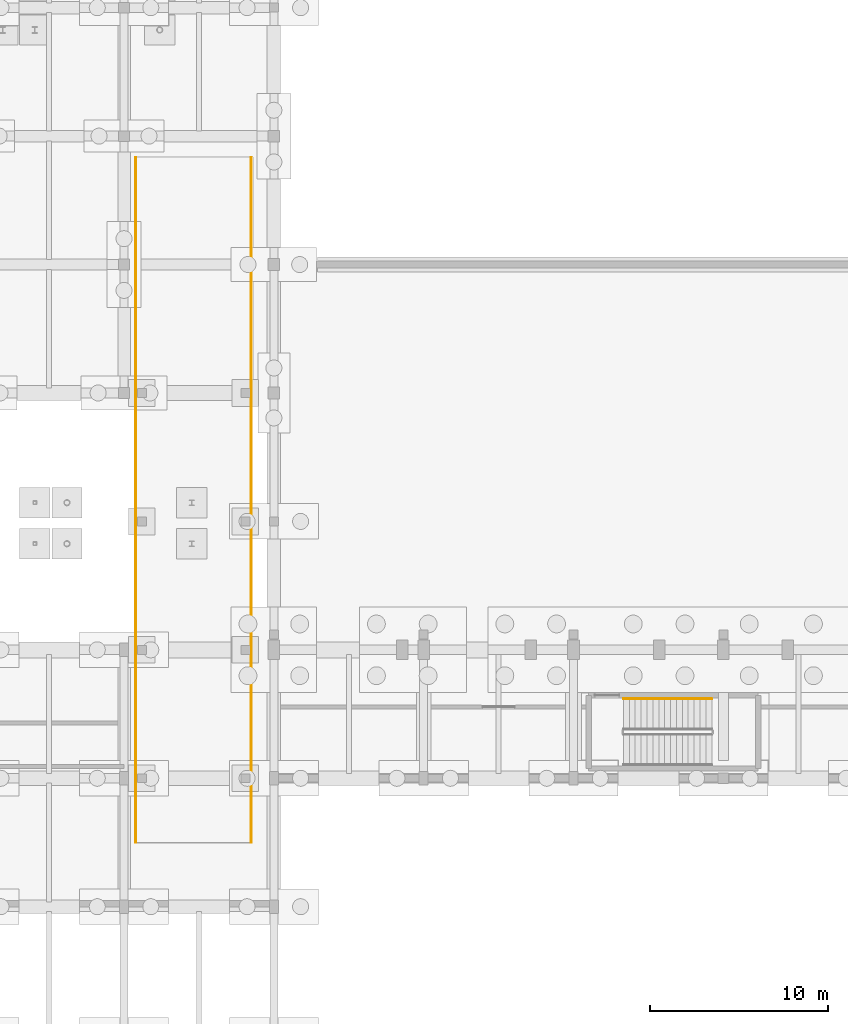
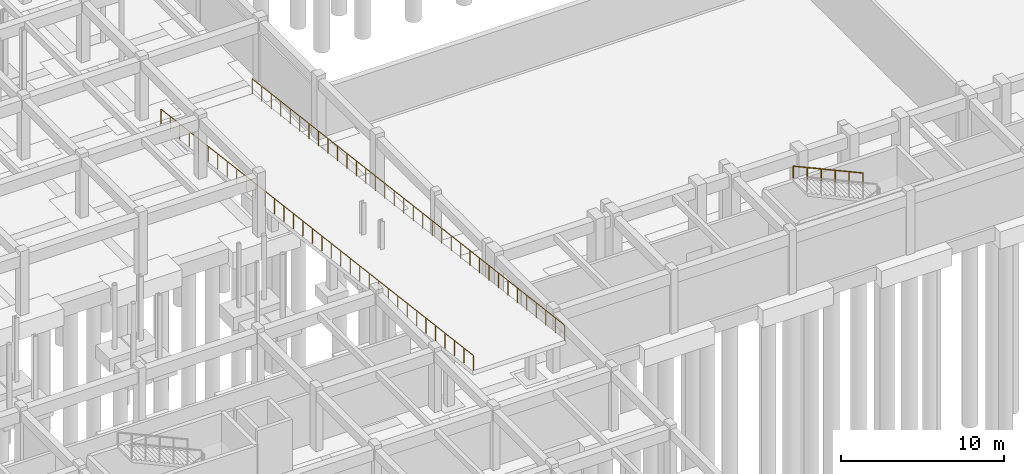
# One storey, part 79 of 80: 3 railings.
"""IFC4 building model written with IfcOpenShell, lengths in metres."""

from ifc_helpers import new_model, si_unit, direction, frame, origin, origin_2d, place, context, subcontext, project, spatial, circle, extrude, material, layer, layer_set, type_object, element, save


model = new_model("IFC4")

# Units and contexts
model_context = context("Model", 3, precision=1e-05, world=origin(), true_north=direction((0.0, 1.0)))
body_context = subcontext(model_context, "Body", "Model", "MODEL_VIEW")
ifc_project = project(units=[si_unit("LENGTHUNIT", "METRE"), si_unit("AREAUNIT", "SQUARE_METRE"), si_unit("VOLUMEUNIT", "CUBIC_METRE"), si_unit("PLANEANGLEUNIT", "RADIAN"), si_unit("MASSUNIT", "GRAM", prefix="KILO")], contexts=[model_context])

# Site, building, storey
site_placement = place(None, origin())
site = spatial("IfcSite", under=ifc_project, at=site_placement, CompositionType="ELEMENT")
building_placement = place(site_placement, origin())
building = spatial("IfcBuilding", under=site, at=building_placement, Name="Malvenik Polytechnic", CompositionType="ELEMENT")
storey_placement = place(building_placement, frame((0.0, 0.0, -4.800048828125)))
storey = spatial("IfcBuildingStorey", under=building, at=storey_placement, Name="B1", CompositionType="ELEMENT", Elevation=-4.800048828125)

# Railings
ifc_material_1 = material(Name="Galvanised powder-coated steel and laminated glass guard 1150mm", Category="steel")
ifc_layer_1 = layer(ifc_material_1, 0.070068359375)
ifc_layer_set_1 = layer_set([ifc_layer_1], Name="Galvanised powder-coated steel and laminated glass guard 1150mm")
railing_type_1 = type_object("IfcRailingType", Name="ARC-RL-BAL-1150", PredefinedType="BALUSTRADE", material=ifc_layer_set_1)
railing_1_placement = place(storey_placement, frame((126.659912109375, 25.199951171875, 4.800048828125)))
element("IfcRailing", 1, at=railing_1_placement, inside=storey, type_object=railing_type_1, Name="Vehicle Ramp Side Guard MAIN-W", PredefinedType="BALUSTRADE", context=body_context, shape_type="SweptSolid", body=[
    extrude(circle(Radius=0.02392578125, at=origin_2d()), frame((0.0, 0.0, 1.1259765625), z_axis=(0.0, 0.992277779656, -0.124035511046), x_axis=(-1.0, 0.0, 0.0)), (0.0, 0.0, 1.0), 38.698974609375),
    extrude(circle(Radius=0.02099609375, at=origin_2d()), origin(), (0.0, 0.0, 1.0), 1.101806640625),
    extrude(circle(Radius=0.02099609375, at=origin_2d()), frame((0.0, 1.16357421875, -0.1455078125)), (0.0, 0.0, 1.0), 1.101806640625),
    extrude(circle(Radius=0.02099609375, at=origin_2d()), frame((0.0, 2.327392578125, -0.291015625)), (0.0, 0.0, 1.0), 1.101806640625),
    extrude(circle(Radius=0.02099609375, at=origin_2d()), frame((0.0, 3.490966796875, -0.436279296875)), (0.0, 0.0, 1.0), 1.101806640625),
    extrude(circle(Radius=0.02099609375, at=origin_2d()), frame((0.0, 4.654541015625, -0.581787109375)), (0.0, 0.0, 1.0), 1.101806640625),
    extrude(circle(Radius=0.02099609375, at=origin_2d()), frame((0.0, 5.818115234375, -0.727294921875)), (0.0, 0.0, 1.0), 1.101806640625),
    extrude(circle(Radius=0.02099609375, at=origin_2d()), frame((0.0, 6.98193359375, -0.872802734375)), (0.0, 0.0, 1.0), 1.101806640625),
    extrude(circle(Radius=0.02099609375, at=origin_2d()), frame((0.0, 8.1455078125, -1.018310546875)), (0.0, 0.0, 1.0), 1.101806640625),
    extrude(circle(Radius=0.02099609375, at=origin_2d()), frame((0.0, 9.30908203125, -1.16357421875)), (0.0, 0.0, 1.0), 1.101806640625),
    extrude(circle(Radius=0.02099609375, at=origin_2d()), frame((0.0, 10.47265625, -1.30908203125)), (0.0, 0.0, 1.0), 1.101806640625),
    extrude(circle(Radius=0.02099609375, at=origin_2d()), frame((0.0, 11.636474609375, -1.45458984375)), (0.0, 0.0, 1.0), 1.101806640625),
    extrude(circle(Radius=0.02099609375, at=origin_2d()), frame((0.0, 12.800048828125, -1.60009765625)), (0.0, 0.0, 1.0), 1.101806640625),
    extrude(circle(Radius=0.02099609375, at=origin_2d()), frame((0.0, 13.963623046875, -1.745361328125)), (0.0, 0.0, 1.0), 1.101806640625),
    extrude(circle(Radius=0.02099609375, at=origin_2d()), frame((0.0, 15.12744140625, -1.890869140625)), (0.0, 0.0, 1.0), 1.101806640625),
    extrude(circle(Radius=0.02099609375, at=origin_2d()), frame((0.0, 16.291015625, -2.036376953125)), (0.0, 0.0, 1.0), 1.101806640625),
    extrude(circle(Radius=0.02099609375, at=origin_2d()), frame((0.0, 17.45458984375, -2.181884765625)), (0.0, 0.0, 1.0), 1.101806640625),
    extrude(circle(Radius=0.02099609375, at=origin_2d()), frame((0.0, 18.6181640625, -2.327392578125)), (0.0, 0.0, 1.0), 1.101806640625),
    extrude(circle(Radius=0.02099609375, at=origin_2d()), frame((0.0, 19.781982421875, -2.47265625)), (0.0, 0.0, 1.0), 1.101806640625),
    extrude(circle(Radius=0.02099609375, at=origin_2d()), frame((0.0, 20.945556640625, -2.6181640625)), (0.0, 0.0, 1.0), 1.101806640625),
    extrude(circle(Radius=0.02099609375, at=origin_2d()), frame((0.0, 22.109130859375, -2.763671875)), (0.0, 0.0, 1.0), 1.101806640625),
    extrude(circle(Radius=0.02099609375, at=origin_2d()), frame((0.0, 23.272705078125, -2.9091796875)), (0.0, 0.0, 1.0), 1.101806640625),
    extrude(circle(Radius=0.02099609375, at=origin_2d()), frame((0.0, 24.4365234375, -3.0546875)), (0.0, 0.0, 1.0), 1.101806640625),
    extrude(circle(Radius=0.02099609375, at=origin_2d()), frame((0.0, 25.60009765625, -3.199951171875)), (0.0, 0.0, 1.0), 1.101806640625),
    extrude(circle(Radius=0.02099609375, at=origin_2d()), frame((0.0, 26.763671875, -3.345458984375)), (0.0, 0.0, 1.0), 1.101806640625),
    extrude(circle(Radius=0.02099609375, at=origin_2d()), frame((0.0, 27.927490234375, -3.490966796875)), (0.0, 0.0, 1.0), 1.101806640625),
    extrude(circle(Radius=0.02099609375, at=origin_2d()), frame((0.0, 29.091064453125, -3.636474609375)), (0.0, 0.0, 1.0), 1.101806640625),
    extrude(circle(Radius=0.02099609375, at=origin_2d()), frame((0.0, 30.254638671875, -3.78173828125)), (0.0, 0.0, 1.0), 1.101806640625),
    extrude(circle(Radius=0.02099609375, at=origin_2d()), frame((0.0, 31.418212890625, -3.92724609375)), (0.0, 0.0, 1.0), 1.101806640625),
    extrude(circle(Radius=0.02099609375, at=origin_2d()), frame((0.0, 32.58203125, -4.07275390625)), (0.0, 0.0, 1.0), 1.101806640625),
    extrude(circle(Radius=0.02099609375, at=origin_2d()), frame((0.0, 33.74560546875, -4.21826171875)), (0.0, 0.0, 1.0), 1.101806640625),
    extrude(circle(Radius=0.02099609375, at=origin_2d()), frame((0.0, 34.9091796875, -4.36376953125)), (0.0, 0.0, 1.0), 1.101806640625),
    extrude(circle(Radius=0.02099609375, at=origin_2d()), frame((0.0, 36.07275390625, -4.509033203125)), (0.0, 0.0, 1.0), 1.101806640625),
    extrude(circle(Radius=0.02099609375, at=origin_2d()), frame((0.0, 37.236572265625, -4.654541015625)), (0.0, 0.0, 1.0), 1.101806640625),
    extrude(circle(Radius=0.02099609375, at=origin_2d()), frame((0.0, 38.400146484375, -4.800048828125)), (0.0, 0.0, 1.0), 1.101806640625),
])
railing_2_placement = place(storey_placement, frame((133.139892578125, 25.199951171875, 4.800048828125)))
element("IfcRailing", 2, at=railing_2_placement, inside=storey, type_object=railing_type_1, Name="Vehicle Ramp Side Guard MAIN-E", PredefinedType="BALUSTRADE", context=body_context, shape_type="SweptSolid", body=[
    extrude(circle(Radius=0.02392578125, at=origin_2d()), frame((0.0, 0.0, 1.1259765625), z_axis=(0.0, 0.992277779656, -0.124035511046), x_axis=(-1.0, 0.0, 0.0)), (0.0, 0.0, 1.0), 38.698974609375),
    extrude(circle(Radius=0.02099609375, at=origin_2d()), origin(), (0.0, 0.0, 1.0), 1.101806640625),
    extrude(circle(Radius=0.02099609375, at=origin_2d()), frame((0.0, 1.16357421875, -0.1455078125)), (0.0, 0.0, 1.0), 1.101806640625),
    extrude(circle(Radius=0.02099609375, at=origin_2d()), frame((0.0, 2.327392578125, -0.291015625)), (0.0, 0.0, 1.0), 1.101806640625),
    extrude(circle(Radius=0.02099609375, at=origin_2d()), frame((0.0, 3.490966796875, -0.436279296875)), (0.0, 0.0, 1.0), 1.101806640625),
    extrude(circle(Radius=0.02099609375, at=origin_2d()), frame((0.0, 4.654541015625, -0.581787109375)), (0.0, 0.0, 1.0), 1.101806640625),
    extrude(circle(Radius=0.02099609375, at=origin_2d()), frame((0.0, 5.818115234375, -0.727294921875)), (0.0, 0.0, 1.0), 1.101806640625),
    extrude(circle(Radius=0.02099609375, at=origin_2d()), frame((0.0, 6.98193359375, -0.872802734375)), (0.0, 0.0, 1.0), 1.101806640625),
    extrude(circle(Radius=0.02099609375, at=origin_2d()), frame((0.0, 8.1455078125, -1.018310546875)), (0.0, 0.0, 1.0), 1.101806640625),
    extrude(circle(Radius=0.02099609375, at=origin_2d()), frame((0.0, 9.30908203125, -1.16357421875)), (0.0, 0.0, 1.0), 1.101806640625),
    extrude(circle(Radius=0.02099609375, at=origin_2d()), frame((0.0, 10.47265625, -1.30908203125)), (0.0, 0.0, 1.0), 1.101806640625),
    extrude(circle(Radius=0.02099609375, at=origin_2d()), frame((0.0, 11.636474609375, -1.45458984375)), (0.0, 0.0, 1.0), 1.101806640625),
    extrude(circle(Radius=0.02099609375, at=origin_2d()), frame((0.0, 12.800048828125, -1.60009765625)), (0.0, 0.0, 1.0), 1.101806640625),
    extrude(circle(Radius=0.02099609375, at=origin_2d()), frame((0.0, 13.963623046875, -1.745361328125)), (0.0, 0.0, 1.0), 1.101806640625),
    extrude(circle(Radius=0.02099609375, at=origin_2d()), frame((0.0, 15.12744140625, -1.890869140625)), (0.0, 0.0, 1.0), 1.101806640625),
    extrude(circle(Radius=0.02099609375, at=origin_2d()), frame((0.0, 16.291015625, -2.036376953125)), (0.0, 0.0, 1.0), 1.101806640625),
    extrude(circle(Radius=0.02099609375, at=origin_2d()), frame((0.0, 17.45458984375, -2.181884765625)), (0.0, 0.0, 1.0), 1.101806640625),
    extrude(circle(Radius=0.02099609375, at=origin_2d()), frame((0.0, 18.6181640625, -2.327392578125)), (0.0, 0.0, 1.0), 1.101806640625),
    extrude(circle(Radius=0.02099609375, at=origin_2d()), frame((0.0, 19.781982421875, -2.47265625)), (0.0, 0.0, 1.0), 1.101806640625),
    extrude(circle(Radius=0.02099609375, at=origin_2d()), frame((0.0, 20.945556640625, -2.6181640625)), (0.0, 0.0, 1.0), 1.101806640625),
    extrude(circle(Radius=0.02099609375, at=origin_2d()), frame((0.0, 22.109130859375, -2.763671875)), (0.0, 0.0, 1.0), 1.101806640625),
    extrude(circle(Radius=0.02099609375, at=origin_2d()), frame((0.0, 23.272705078125, -2.9091796875)), (0.0, 0.0, 1.0), 1.101806640625),
    extrude(circle(Radius=0.02099609375, at=origin_2d()), frame((0.0, 24.4365234375, -3.0546875)), (0.0, 0.0, 1.0), 1.101806640625),
    extrude(circle(Radius=0.02099609375, at=origin_2d()), frame((0.0, 25.60009765625, -3.199951171875)), (0.0, 0.0, 1.0), 1.101806640625),
    extrude(circle(Radius=0.02099609375, at=origin_2d()), frame((0.0, 26.763671875, -3.345458984375)), (0.0, 0.0, 1.0), 1.101806640625),
    extrude(circle(Radius=0.02099609375, at=origin_2d()), frame((0.0, 27.927490234375, -3.490966796875)), (0.0, 0.0, 1.0), 1.101806640625),
    extrude(circle(Radius=0.02099609375, at=origin_2d()), frame((0.0, 29.091064453125, -3.636474609375)), (0.0, 0.0, 1.0), 1.101806640625),
    extrude(circle(Radius=0.02099609375, at=origin_2d()), frame((0.0, 30.254638671875, -3.78173828125)), (0.0, 0.0, 1.0), 1.101806640625),
    extrude(circle(Radius=0.02099609375, at=origin_2d()), frame((0.0, 31.418212890625, -3.92724609375)), (0.0, 0.0, 1.0), 1.101806640625),
    extrude(circle(Radius=0.02099609375, at=origin_2d()), frame((0.0, 32.58203125, -4.07275390625)), (0.0, 0.0, 1.0), 1.101806640625),
    extrude(circle(Radius=0.02099609375, at=origin_2d()), frame((0.0, 33.74560546875, -4.21826171875)), (0.0, 0.0, 1.0), 1.101806640625),
    extrude(circle(Radius=0.02099609375, at=origin_2d()), frame((0.0, 34.9091796875, -4.36376953125)), (0.0, 0.0, 1.0), 1.101806640625),
    extrude(circle(Radius=0.02099609375, at=origin_2d()), frame((0.0, 36.07275390625, -4.509033203125)), (0.0, 0.0, 1.0), 1.101806640625),
    extrude(circle(Radius=0.02099609375, at=origin_2d()), frame((0.0, 37.236572265625, -4.654541015625)), (0.0, 0.0, 1.0), 1.101806640625),
    extrude(circle(Radius=0.02099609375, at=origin_2d()), frame((0.0, 38.400146484375, -4.800048828125)), (0.0, 0.0, 1.0), 1.101806640625),
])
ifc_material_2 = material(Name="Brushed stainless steel 1.4301 stair wall handrail", Category="steel")
ifc_layer_2 = layer(ifc_material_2, 0.044921875)
ifc_layer_set_2 = layer_set([ifc_layer_2], Name="Brushed stainless steel 1.4301 stair wall handrail")
railing_type_2 = type_object("IfcRailingType", Name="ARC-RL-STHR", PredefinedType="HANDRAIL", material=ifc_layer_set_2)
railing_3_placement = place(storey_placement, frame((158.949951171875, 33.25, 2.550048828125)))
element("IfcRailing", 3, at=railing_3_placement, inside=storey, type_object=railing_type_2, Name="B1 ST-13 stair handrail 2", PredefinedType="HANDRAIL", context=body_context, shape_type="SweptSolid", body=[
    extrude(circle(Radius=0.02392578125, at=origin_2d()), frame((0.0, 0.0, 0.8759765625), z_axis=(-0.910364939756, 0.0, 0.41380632724), x_axis=(0.0, -1.0, 0.0)), (0.0, 0.0, 1.0), 5.437255859375),
    extrude(circle(Radius=0.02099609375, at=origin_2d()), origin(), (0.0, 0.0, 1.0), 0.851806640625),
    extrude(circle(Radius=0.02099609375, at=origin_2d()), frame((-0.989990234375, 0.0, 0.449951171875)), (0.0, 0.0, 1.0), 0.851806640625),
    extrude(circle(Radius=0.02099609375, at=origin_2d()), frame((-1.97998046875, 0.0, 0.89990234375)), (0.0, 0.0, 1.0), 0.851806640625),
    extrude(circle(Radius=0.02099609375, at=origin_2d()), frame((-2.969970703125, 0.0, 1.35009765625)), (0.0, 0.0, 1.0), 0.851806640625),
    extrude(circle(Radius=0.02099609375, at=origin_2d()), frame((-3.9599609375, 0.0, 1.800048828125)), (0.0, 0.0, 1.0), 0.851806640625),
    extrude(circle(Radius=0.02099609375, at=origin_2d()), frame((-4.949951171875, 0.0, 2.25)), (0.0, 0.0, 1.0), 0.851806640625),
])

save(model, "model.ifc")
